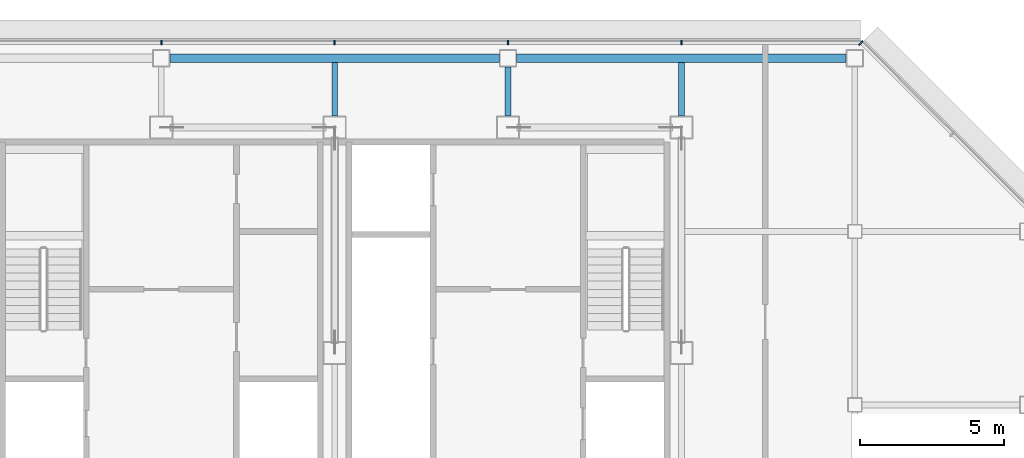
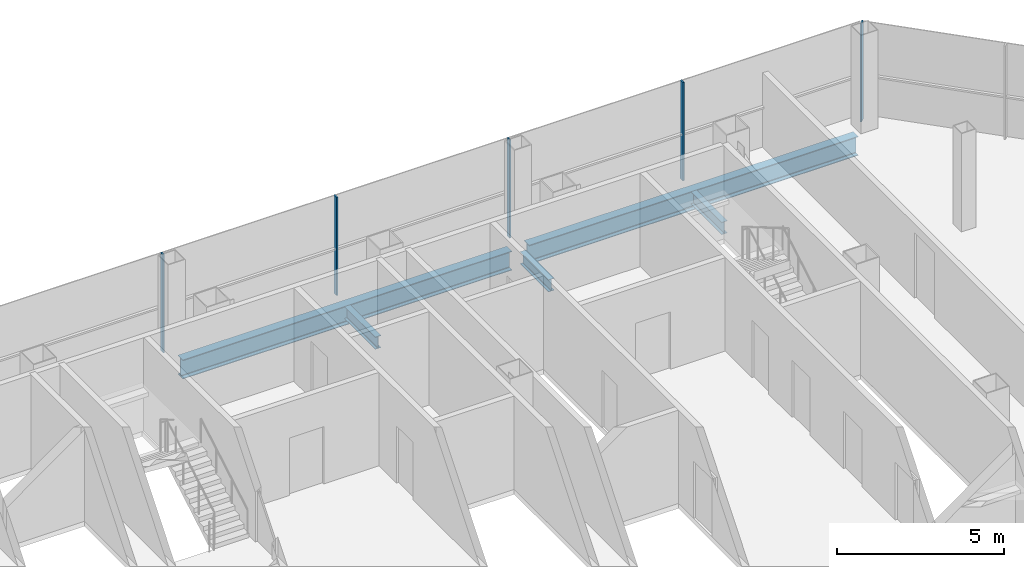
# One storey, part 16 of 28: 5 beams, 5 members, 2 elements without a shape of their own.
"""IFC4 building model written with IfcOpenShell, lengths in metres."""

from ifc_helpers import new_model, si_unit, direction, frame, origin, origin_2d, place, context, subcontext, project, spatial, rectangle, i_section, extrude, material, material_profile, profile_set, type_object, element, aggregate, save


model = new_model("IFC4")

# Units and contexts
model_context = context("Model", 3, precision=1e-05, world=origin(), true_north=direction((0.0, 1.0)))
body_context = subcontext(model_context, "Body", "Model", "MODEL_VIEW")
ifc_project = project(units=[si_unit("LENGTHUNIT", "METRE"), si_unit("AREAUNIT", "SQUARE_METRE"), si_unit("VOLUMEUNIT", "CUBIC_METRE"), si_unit("PLANEANGLEUNIT", "RADIAN"), si_unit("MASSUNIT", "GRAM", prefix="KILO")], contexts=[model_context])

# Site, building, storey
site_placement = place(None, origin())
site = spatial("IfcSite", under=ifc_project, at=site_placement, CompositionType="ELEMENT")
building_placement = place(site_placement, origin())
building = spatial("IfcBuilding", under=site, at=building_placement, Name="Sorahane Residences", CompositionType="ELEMENT")
storey_placement = place(building_placement, frame((0.0, 0.0, 266.60009765625)))
storey = spatial("IfcBuildingStorey", under=building, at=storey_placement, Name="L63", CompositionType="ELEMENT", Elevation=266.60009765625)

# Curtain wall, members
ifc_material_1 = material(Name="Dark low-e glass and black anodised aluminium", Category="aluminium")
curtain_wall_type_1 = type_object("IfcCurtainWallType", Name="Curtain wall CW-1 Typical unitised wall", PredefinedType="NOTDEFINED", material=ifc_material_1)
curtain_wall_1_placement = place(storey_placement, origin())
curtain_wall_1 = element("IfcCurtainWall", 1, at=curtain_wall_1_placement, inside=storey, type_object=curtain_wall_type_1, Name="CW-1 curtain wall L63 N1", PredefinedType="NOTDEFINED")
ifc_material_2 = material(Name="Black anodised aluminium", Category="aluminium")
ifc_material_profile_1 = material_profile(ifc_material_2, rectangle(XDim=0.159912109375, YDim=0.050048828125, at=origin_2d()), Name="Curtain wall mullion CW-1 black anodised aluminium 50x160")
ifc_profile_set_1 = profile_set([ifc_material_profile_1], Name="Black anodised aluminium")
member_type_1 = type_object("IfcMemberType", Name="Curtain wall mullion CW-1 black anodised aluminium 50x160", PredefinedType="MULLION", material=ifc_profile_set_1)
member_1_placement = place(storey_placement, frame((42.0, 48.5400390625, -0.18017578125), z_axis=(0.0, 0.0, 1.0), x_axis=(0.0, 1.0, 0.0)))
member_1 = element("IfcMember", 2, at=member_1_placement, type_object=member_type_1, Name="CW-1 mullion L63 N1.2", PredefinedType="MULLION", context=body_context, shape_type="SweptSolid", body=[
    extrude(rectangle(XDim=0.159912109375, YDim=0.050048828125, at=origin_2d()), origin(), (0.0, 0.0, 1.0), 3.60009765625),
])
member_2_placement = place(storey_placement, frame((36.0, 48.5400390625, -0.18017578125), z_axis=(0.0, 0.0, 1.0), x_axis=(0.0, 1.0, 0.0)))
member_2 = element("IfcMember", 3, at=member_2_placement, type_object=member_type_1, Name="CW-1 mullion L63 N1.3", PredefinedType="MULLION", context=body_context, shape_type="SweptSolid", body=[
    extrude(rectangle(XDim=0.159912109375, YDim=0.050048828125, at=origin_2d()), origin(), (0.0, 0.0, 1.0), 3.60009765625),
])
member_3_placement = place(storey_placement, frame((30.0, 48.5400390625, -0.18017578125), z_axis=(0.0, 0.0, 1.0), x_axis=(0.0, 1.0, 0.0)))
member_3 = element("IfcMember", 4, at=member_3_placement, type_object=member_type_1, Name="CW-1 mullion L63 N1.4", PredefinedType="MULLION", context=body_context, shape_type="SweptSolid", body=[
    extrude(rectangle(XDim=0.159912109375, YDim=0.050048828125, at=origin_2d()), origin(), (0.0, 0.0, 1.0), 3.60009765625),
])
member_4_placement = place(storey_placement, frame((24.0, 48.5400390625, -0.18017578125), z_axis=(0.0, 0.0, 1.0), x_axis=(0.0, 1.0, 0.0)))
member_4 = element("IfcMember", 5, at=member_4_placement, type_object=member_type_1, Name="CW-1 mullion L63 N1.5", PredefinedType="MULLION", context=body_context, shape_type="SweptSolid", body=[
    extrude(rectangle(XDim=0.159912109375, YDim=0.050048828125, at=origin_2d()), origin(), (0.0, 0.0, 1.0), 3.60009765625),
])
aggregate(curtain_wall_1, [member_1, member_2, member_3, member_4])

# Curtain wall, member
ifc_material_3 = material(Name="Dark low-e glass and black anodised aluminium", Category="aluminium")
curtain_wall_type_2 = type_object("IfcCurtainWallType", Name="Curtain wall CW-2 Chamfer unitised wall", PredefinedType="NOTDEFINED", material=ifc_material_3)
curtain_wall_2_placement = place(storey_placement, origin())
curtain_wall_2 = element("IfcCurtainWall", 6, at=curtain_wall_2_placement, inside=storey, type_object=curtain_wall_type_2, Name="CW-2 curtain wall L63 NE1", PredefinedType="NOTDEFINED")
ifc_material_4 = material(Name="Black anodised aluminium", Category="aluminium")
ifc_material_profile_2 = material_profile(ifc_material_4, rectangle(XDim=0.199951171875, YDim=0.050048828125, at=origin_2d()), Name="Curtain wall mullion CW-2 black anodised aluminium 50x200")
ifc_profile_set_2 = profile_set([ifc_material_profile_2], Name="Black anodised aluminium")
member_type_2 = type_object("IfcMemberType", Name="Curtain wall mullion CW-2 black anodised aluminium 50x200", PredefinedType="MULLION", material=ifc_profile_set_2)
member_5_placement = place(storey_placement, frame((48.209716796875, 48.525634765625, -0.18017578125), z_axis=(0.0, 0.0, 1.0), x_axis=(0.707106781187, 0.707106781187, 0.0)))
member_5 = element("IfcMember", 7, at=member_5_placement, type_object=member_type_2, Name="CW-2 mullion L63 NE1.3", PredefinedType="MULLION", context=body_context, shape_type="SweptSolid", body=[
    extrude(rectangle(XDim=0.199951171875, YDim=0.050048828125, at=origin_2d()), origin(), (0.0, 0.0, 1.0), 3.60009765625),
])
aggregate(curtain_wall_2, [member_5])

# Beams
ifc_material_5 = material(Name="Steel Q355B", Category="steel")
ifc_material_profile_3 = material_profile(ifc_material_5, i_section(OverallWidth=0.199951171875, OverallDepth=0.449951171875, WebThickness=0.009033203125, FlangeThickness=0.013916015625, FilletRadius=0.02001953125, at=origin_2d()), Name="HN 450x200x9x14")
ifc_profile_set_3 = profile_set([ifc_material_profile_3], Name="Steel Q355B")
beam_type_1 = type_object("IfcBeamType", Name="Steel floor beam HN 450x200x9x14 Q355B", PredefinedType="BEAM", material=ifc_profile_set_3)
beam_1_placement = place(storey_placement, frame((30.0, 46.0, -0.405029296875), z_axis=(0.0, 1.0, 0.0), x_axis=(-1.0, 0.0, 0.0)))
element("IfcBeam", 8, at=beam_1_placement, inside=storey, type_object=beam_type_1, Name="Beam L63 049", PredefinedType="BEAM", context=body_context, shape_type="SweptSolid", body=[
    extrude(i_section(OverallWidth=0.199951171875, OverallDepth=0.449951171875, WebThickness=0.009033203125, FlangeThickness=0.013916015625, FilletRadius=0.02001953125, at=origin_2d()), origin(), (0.0, 0.0, 1.0), 1.85009765625),
])
beam_2_placement = place(storey_placement, frame((36.0, 46.0, -0.405029296875), z_axis=(0.0, 1.0, 0.0), x_axis=(-1.0, 0.0, 0.0)))
element("IfcBeam", 9, at=beam_2_placement, inside=storey, type_object=beam_type_1, Name="Beam L63 051", PredefinedType="BEAM", context=body_context, shape_type="SweptSolid", body=[
    extrude(i_section(OverallWidth=0.199951171875, OverallDepth=0.449951171875, WebThickness=0.009033203125, FlangeThickness=0.013916015625, FilletRadius=0.02001953125, at=origin_2d()), origin(), (0.0, 0.0, 1.0), 1.699951171875),
])
beam_3_placement = place(storey_placement, frame((42.0, 46.0, -0.405029296875), z_axis=(0.0, 1.0, 0.0), x_axis=(-1.0, 0.0, 0.0)))
element("IfcBeam", 10, at=beam_3_placement, inside=storey, type_object=beam_type_1, Name="Beam L63 057", PredefinedType="BEAM", context=body_context, shape_type="SweptSolid", body=[
    extrude(i_section(OverallWidth=0.199951171875, OverallDepth=0.449951171875, WebThickness=0.009033203125, FlangeThickness=0.013916015625, FilletRadius=0.02001953125, at=origin_2d()), origin(), (0.0, 0.0, 1.0), 1.85009765625),
])
ifc_material_6 = material(Name="Steel Q355B", Category="steel")
ifc_material_profile_4 = material_profile(ifc_material_6, i_section(OverallWidth=0.300048828125, OverallDepth=0.699951171875, WebThickness=0.012939453125, FlangeThickness=0.02392578125, FilletRadius=0.028076171875, at=origin_2d()), Name="HN 700x300x13x24")
ifc_profile_set_4 = profile_set([ifc_material_profile_4], Name="Steel Q355B")
beam_type_2 = type_object("IfcBeamType", Name="Steel floor beam HN 700x300x13x24 Q355B", PredefinedType="BEAM", material=ifc_profile_set_4)
for number, where, z_axis, x_axis, name in (
    (11, (24.300048828125, 48.0, -0.530029296875), (1.0, 0.0, 0.0), (0.0, 1.0, 0.0), "Beam L63 018"),
    (12, (36.300048828125, 48.0, -0.530029296875), (1.0, 0.0, 0.0), (0.0, 1.0, 0.0), "Beam L63 019"),
):
    element("IfcBeam", number, at=place(storey_placement, frame(where, z_axis=z_axis, x_axis=x_axis)), inside=storey, type_object=beam_type_2, Name=name, PredefinedType="BEAM", context=body_context, shape_type="SweptSolid", body=[
        extrude(i_section(OverallWidth=0.300048828125, OverallDepth=0.699951171875, WebThickness=0.012939453125, FlangeThickness=0.02392578125, FilletRadius=0.028076171875, at=origin_2d()), origin(), (0.0, 0.0, 1.0), 11.39990234375),
    ])

save(model, "model.ifc")
